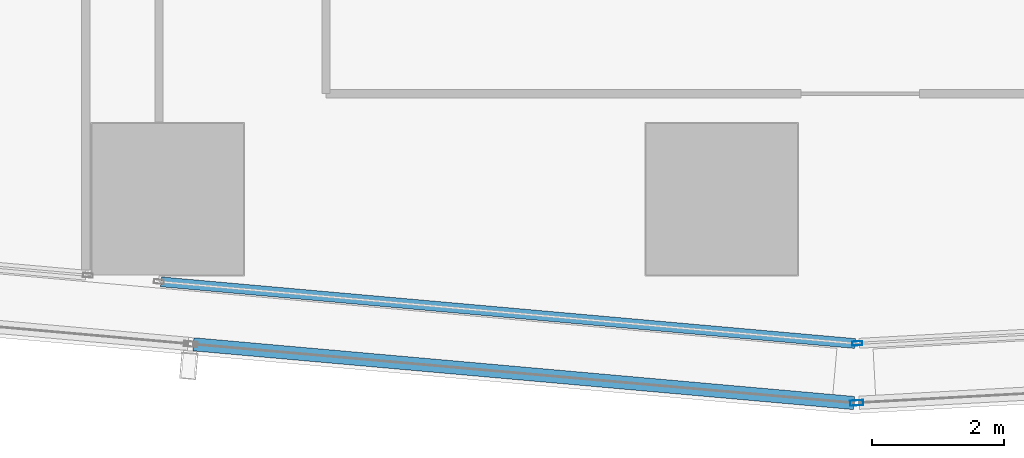
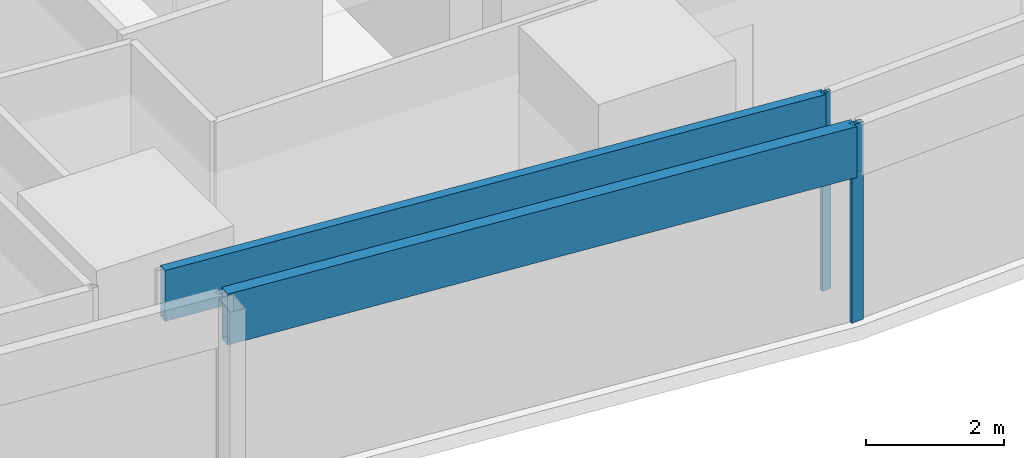
# One storey, part 4 of 32: 4 members, 4 elements without a shape of their own.
"""IFC4 building model written with IfcOpenShell, lengths in metres."""

from ifc_helpers import new_model, si_unit, direction, frame, origin, origin_2d, place, context, subcontext, project, spatial, hollow_rectangle, extrude, material, material_profile, profile_set, type_object, element, aggregate, save


model = new_model("IFC4")

# Units and contexts
model_context = context("Model", 3, precision=1e-05, world=origin(), true_north=direction((0.0, 1.0)))
body_context = subcontext(model_context, "Body", "Model", "MODEL_VIEW")
ifc_project = project(units=[si_unit("LENGTHUNIT", "METRE"), si_unit("AREAUNIT", "SQUARE_METRE"), si_unit("VOLUMEUNIT", "CUBIC_METRE"), si_unit("PLANEANGLEUNIT", "RADIAN"), si_unit("MASSUNIT", "GRAM", prefix="KILO")], contexts=[model_context])

# Site, building, storey
site_placement = place(None, origin())
site = spatial("IfcSite", under=ifc_project, at=site_placement, CompositionType="ELEMENT")
building_placement = place(site_placement, origin())
building = spatial("IfcBuilding", under=site, at=building_placement, Name="Rekha Terrace Tower", CompositionType="ELEMENT")
storey_placement = place(building_placement, frame((0.0, 0.0, 250.10009765625)))
storey = spatial("IfcBuildingStorey", under=building, at=storey_placement, Name="L63", CompositionType="ELEMENT", Elevation=250.10009765625)

# Curtain wall, member
ifc_material_1 = material(Name="Aluminium framing", Category="aluminium")
curtain_wall_type_1 = type_object("IfcCurtainWallType", Name="CW1 double skin inner glazing", PredefinedType="USERDEFINED", material=ifc_material_1)
curtain_wall_1_placement = place(storey_placement, origin())
curtain_wall_1 = element("IfcCurtainWall", 1, at=curtain_wall_1_placement, inside=storey, type_object=curtain_wall_type_1, Name="CW1 double skin inner glazing", ObjectType="DOUBLE SKIN INNER GLAZING", PredefinedType="USERDEFINED")
ifc_material_2 = material(Name="Aluminium mullion section", Category="aluminium")
ifc_material_profile_1 = material_profile(ifc_material_2, hollow_rectangle(XDim=0.06494140625, YDim=0.14990234375, WallThickness=0.00390625, at=origin_2d()), Name="AL RHS 65x150")
ifc_profile_set_1 = profile_set([ifc_material_profile_1], Name="Aluminium mullion section")
member_type_1 = type_object("IfcMemberType", Name="CW1 mullion RHS 65 x 150", PredefinedType="MULLION", material=ifc_profile_set_1)
member_1_placement = place(storey_placement, frame((27.254638671875, 14.6142578125, 0.0), z_axis=(0.0, 0.0, 1.0), x_axis=(-0.054388903036, 0.998519828159, 0.0)))
member_1 = element("IfcMember", 2, at=member_1_placement, type_object=member_type_1, Name="CW1 mullion 1", PredefinedType="MULLION", context=body_context, shape_type="SweptSolid", body=[
    extrude(hollow_rectangle(XDim=0.06494140625, YDim=0.14990234375, WallThickness=0.00390625, at=origin_2d()), origin(), (0.0, 0.0, 1.0), 3.5),
])
aggregate(curtain_wall_1, [member_1])

curtain_wall_2_placement = place(storey_placement, origin())
curtain_wall_2 = element("IfcCurtainWall", 3, at=curtain_wall_2_placement, inside=storey, type_object=curtain_wall_type_1, Name="CW1 double skin inner glazing", ObjectType="DOUBLE SKIN INNER GLAZING", PredefinedType="USERDEFINED")
ifc_material_3 = material(Name="Insulated aluminium spandrel box", Category="aluminium")
ifc_material_profile_2 = material_profile(ifc_material_3, hollow_rectangle(XDim=0.14990234375, YDim=0.89990234375, WallThickness=0.0029296875, at=origin_2d()), Name="AL SPANDREL BOX 150x900")
ifc_profile_set_2 = profile_set([ifc_material_profile_2], Name="Insulated aluminium spandrel box")
member_type_2 = type_object("IfcMemberType", Name="CW1 spandrel transom 150 x 900", PredefinedType="USERDEFINED", material=ifc_profile_set_2)
member_2_placement = place(storey_placement, frame((16.6982421875, 15.5478515625, 3.0498046875), z_axis=(0.996073953898, -0.088525015482, 0.0), x_axis=(0.088525015482, 0.996073953898, 0.0)))
member_2 = element("IfcMember", 4, at=member_2_placement, type_object=member_type_2, Name="CW1 spandrel transom 1", ObjectType="TRANSOM", PredefinedType="USERDEFINED", context=body_context, shape_type="SweptSolid", body=[
    extrude(hollow_rectangle(XDim=0.14990234375, YDim=0.89990234375, WallThickness=0.0029296875, at=origin_2d()), origin(), (0.0, 0.0, 1.0), 10.5654296875),
])
aggregate(curtain_wall_2, [member_2])

curtain_wall_type_2 = type_object("IfcCurtainWallType", Name="CW2 double skin outer glazing", PredefinedType="USERDEFINED", material=ifc_material_1)
curtain_wall_3_placement = place(storey_placement, origin())
curtain_wall_3 = element("IfcCurtainWall", 5, at=curtain_wall_3_placement, inside=storey, type_object=curtain_wall_type_2, Name="CW2 double skin outer glazing", ObjectType="DOUBLE SKIN OUTER GLAZING", PredefinedType="USERDEFINED")
ifc_material_profile_3 = material_profile(ifc_material_2, hollow_rectangle(XDim=0.080078125, YDim=0.199951171875, WallThickness=0.00390625, at=origin_2d()), Name="AL RHS 80x200")
ifc_profile_set_3 = profile_set([ifc_material_profile_3], Name="Aluminium mullion section")
member_type_3 = type_object("IfcMemberType", Name="CW2 mullion RHS 80 x 200", PredefinedType="MULLION", material=ifc_profile_set_3)
member_3_placement = place(storey_placement, frame((27.24658203125, 13.712646484375, 0.0), z_axis=(0.0, 0.0, 1.0), x_axis=(-0.054388903071, 0.998519828157, 0.0)))
member_3 = element("IfcMember", 6, at=member_3_placement, type_object=member_type_3, Name="CW2 mullion 1", PredefinedType="MULLION", context=body_context, shape_type="SweptSolid", body=[
    extrude(hollow_rectangle(XDim=0.080078125, YDim=0.199951171875, WallThickness=0.00390625, at=origin_2d()), origin(), (0.0, 0.0, 1.0), 3.5),
])
aggregate(curtain_wall_3, [member_3])

curtain_wall_4_placement = place(storey_placement, origin())
curtain_wall_4 = element("IfcCurtainWall", 7, at=curtain_wall_4_placement, inside=storey, type_object=curtain_wall_type_2, Name="CW2 double skin outer glazing", ObjectType="DOUBLE SKIN OUTER GLAZING", PredefinedType="USERDEFINED")
ifc_material_profile_4 = material_profile(ifc_material_3, hollow_rectangle(XDim=0.199951171875, YDim=0.89990234375, WallThickness=0.0029296875, at=origin_2d()), Name="AL SPANDREL BOX 200x900")
ifc_profile_set_4 = profile_set([ifc_material_profile_4], Name="Insulated aluminium spandrel box")
member_type_4 = type_object("IfcMemberType", Name="CW2 spandrel transom 200 x 900", PredefinedType="USERDEFINED", material=ifc_profile_set_4)
member_4_placement = place(storey_placement, frame((17.188232421875, 14.600830078125, 3.0498046875), z_axis=(0.996074020135, -0.088524270188, 0.0), x_axis=(0.088524270188, 0.996074020135, 0.0)))
member_4 = element("IfcMember", 8, at=member_4_placement, type_object=member_type_4, Name="CW2 spandrel transom 2", ObjectType="TRANSOM", PredefinedType="USERDEFINED", context=body_context, shape_type="SweptSolid", body=[
    extrude(hollow_rectangle(XDim=0.199951171875, YDim=0.89990234375, WallThickness=0.0029296875, at=origin_2d()), origin(), (0.0, 0.0, 1.0), 10.05810546875),
])
aggregate(curtain_wall_4, [member_4])

save(model, "model.ifc")
